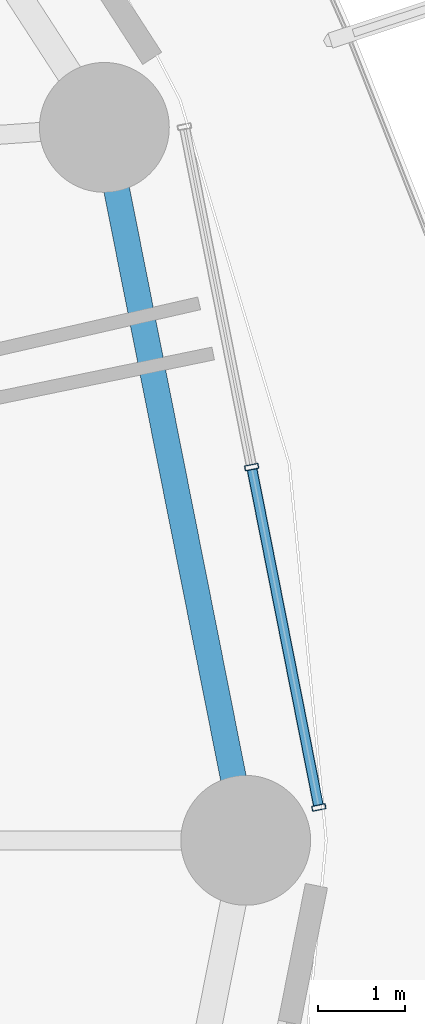
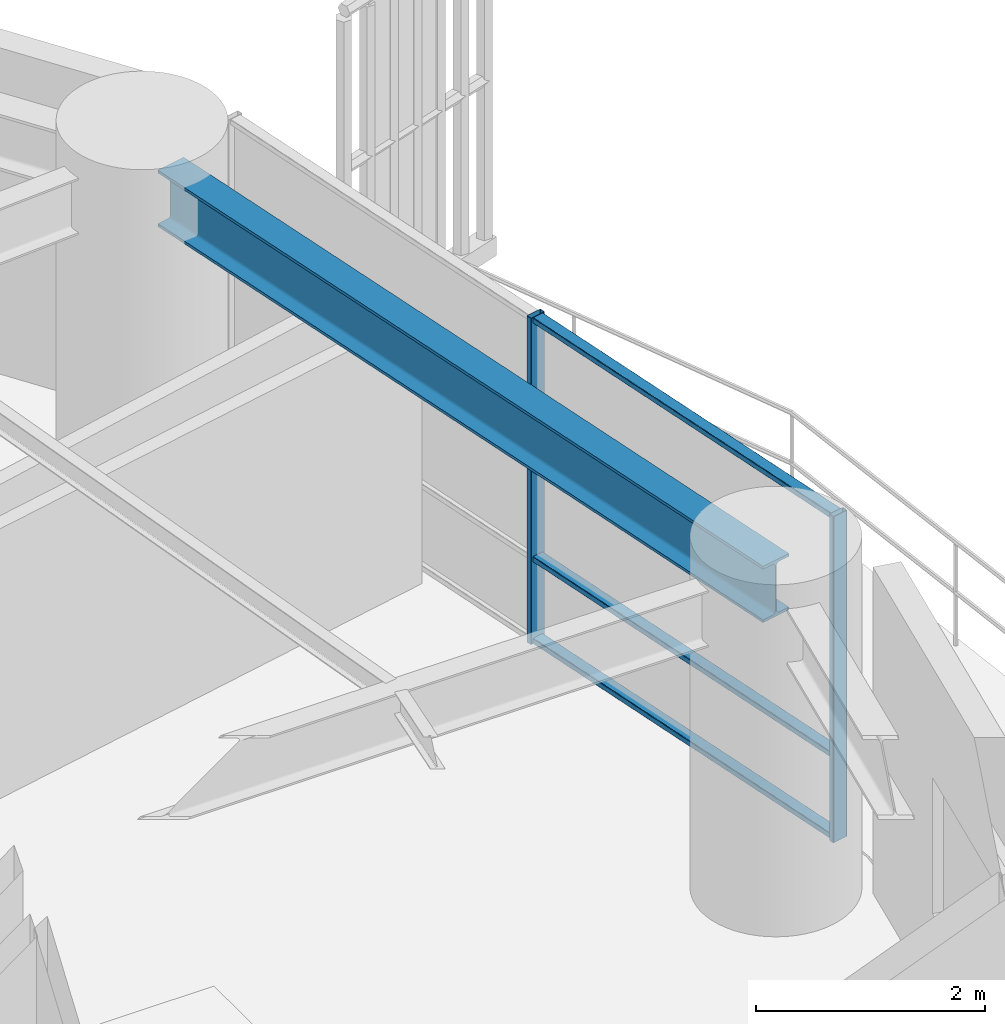
# One storey, part 14 of 33: 5 members, 1 beam, 1 element without a shape of its own.
"""IFC4 building model written with IfcOpenShell, lengths in metres."""

import ifcopenshell
import ifcopenshell.guid

model = None  # the IFC model being written
_history = None  # IfcOwnerHistory: only IFC2X3 demands one
_inside = {}  # id of a spatial element -> (the spatial element, [elements in it])
_under = {}  # id of a project, library or spatial element -> (it, [spatial elements below it])
_declared = {}  # id of a project -> (the project, [libraries it declares])
_typed = {}  # id of a type object -> (the type object, [elements of that type])
_made_of = {}  # id of a material, layer set ... -> (it, [elements and type objects made of it])


def new_model(schema):
    """Start an empty IFC model of exactly this schema.

    Asked for "IFC4X3", IfcOpenShell would pick the latest addendum, in which some entities
    have other attributes; the version numbers below select the first issue.
    IFC2X3 requires an IfcOwnerHistory on every rooted entity: one is made here for all.
    """
    global model, _history
    if schema == "IFC4X3":
        model = ifcopenshell.file(schema_version=(4, 3, 0, 0))
    else:
        model = ifcopenshell.file(schema=schema)
    _inside.clear()
    _under.clear()
    _declared.clear()
    _typed.clear()
    _made_of.clear()
    _history = None
    if model.schema == "IFC2X3":
        org = make("IfcOrganization", Name="unknown")
        user = make(
            "IfcPersonAndOrganization",
            ThePerson=make("IfcPerson", FamilyName="unknown"),
            TheOrganization=org,
        )
        app = make(
            "IfcApplication",
            ApplicationDeveloper=org,
            Version="unknown",
            ApplicationFullName="unknown",
            ApplicationIdentifier="unknown",
        )
        _history = make(
            "IfcOwnerHistory",
            OwningUser=user,
            OwningApplication=app,
            ChangeAction="ADDED",
            CreationDate=0,
        )
    return model


def make(cls, **values):
    """One entity of the class cls with the attributes given. An attribute that is None is left unset."""
    return model.create_entity(
        cls, **{name: value for name, value in values.items() if value is not None}
    )


def rooted(cls, **values):
    """An entity with a GlobalId (a new one), such as an element, a storey or a relation."""
    return make(cls, GlobalId=ifcopenshell.guid.new(), OwnerHistory=_history, **values)


def si_unit(unit_type, name, prefix=None):
    """IfcSIUnit, for example si_unit("LENGTHUNIT", "METRE", prefix="MILLI")."""
    return make("IfcSIUnit", UnitType=unit_type, Prefix=prefix, Name=name)


def assignment(units):
    """IfcUnitAssignment: the units of a project."""
    return None if units is None else make("IfcUnitAssignment", Units=units)


def point(xyz):
    """IfcCartesianPoint."""
    return None if xyz is None else make("IfcCartesianPoint", Coordinates=xyz)


def direction(xyz):
    """IfcDirection."""
    return None if xyz is None else make("IfcDirection", DirectionRatios=xyz)


def frame(location, z_axis=None, x_axis=None):
    """IfcAxis2Placement3D, a coordinate frame: its origin and axes. An axis left out is left unset."""
    return make(
        "IfcAxis2Placement3D",
        Location=point(location),
        Axis=direction(z_axis),
        RefDirection=direction(x_axis),
    )


def frame_2d(location, x_axis=None):
    """IfcAxis2Placement2D, a coordinate frame in the plane: its origin and x axis."""
    return make(
        "IfcAxis2Placement2D", Location=point(location), RefDirection=direction(x_axis)
    )


def origin():
    """The frame at (0, 0, 0) with its axes left unset."""
    return frame((0.0, 0.0, 0.0))


def origin_2d():
    """The frame at (0, 0) in the plane with its x axis left unset."""
    return frame_2d((0.0, 0.0))


def place(relative_to, where):
    """IfcLocalPlacement: puts the frame where relative to a parent placement (None: the world)."""
    return make(
        "IfcLocalPlacement", PlacementRelTo=relative_to, RelativePlacement=where
    )


def context(
    kind, dimensions, precision=None, world=None, true_north=None, identifier=None
):
    """IfcGeometricRepresentationContext, for example the 3D "Model" context."""
    return make(
        "IfcGeometricRepresentationContext",
        ContextIdentifier=identifier,
        ContextType=kind,
        CoordinateSpaceDimension=dimensions,
        Precision=precision,
        WorldCoordinateSystem=world,
        TrueNorth=true_north,
    )


def subcontext(parent, identifier, kind, view, scale=None):
    """IfcGeometricRepresentationSubContext, for example "Body" below "Model"."""
    return make(
        "IfcGeometricRepresentationSubContext",
        ContextIdentifier=identifier,
        ContextType=kind,
        ParentContext=parent,
        TargetScale=scale,
        TargetView=view,
    )


def project(units=None, contexts=None):
    """IfcProject with its units and contexts."""
    return rooted(
        "IfcProject",
        Name="project",
        RepresentationContexts=contexts,
        UnitsInContext=assignment(units),
    )


def spatial(cls, under=None, at=None, **own):
    """A site, building, storey or space (cls), placed at a placement, below another one or the project."""
    s = rooted(cls, ObjectPlacement=at, **own)
    if under is not None:
        _under.setdefault(under.id(), (under, []))[1].append(s)
    return s


def profile(cls, at=None, kind="AREA", **sizes):
    """A parametric profile (cls). Its sizes go by their IFC names, for example OverallWidth=200.0."""
    return make(cls, ProfileType=kind, Position=at, **sizes)


def hollow_rectangle(**sizes):
    """IfcRectangleHollowProfileDef."""
    return profile("IfcRectangleHollowProfileDef", **sizes)


def i_section(**sizes):
    """IfcIShapeProfileDef."""
    return profile("IfcIShapeProfileDef", **sizes)


def extrude(swept, where, along, depth):
    """IfcExtrudedAreaSolid: the profile swept, set in the frame where, extruded along a direction by depth."""
    return make(
        "IfcExtrudedAreaSolid",
        SweptArea=swept,
        Position=where,
        ExtrudedDirection=direction(along),
        Depth=depth,
    )


def shape(context_of_items, identifier, shape_type, items):
    """IfcShapeRepresentation: the items that make up one representation, for example the "Body"."""
    return make(
        "IfcShapeRepresentation",
        ContextOfItems=context_of_items,
        RepresentationIdentifier=identifier,
        RepresentationType=shape_type,
        Items=items,
    )


def material(Name=None, Category=None):
    """IfcMaterial."""
    return make("IfcMaterial", Name=Name, Category=Category)


def layer(
    of_material, thickness, ventilated=None, Name=None, Category=None, Priority=None
):
    """IfcMaterialLayer: one layer of a wall or slab, of a material (None: an air gap)."""
    return make(
        "IfcMaterialLayer",
        Material=of_material,
        LayerThickness=thickness,
        IsVentilated=ventilated,
        Name=Name,
        Category=Category,
        Priority=Priority,
    )


def layer_set(layers, Name=None):
    """IfcMaterialLayerSet."""
    return make("IfcMaterialLayerSet", MaterialLayers=layers, LayerSetName=Name)


def material_profile(
    of_material, cross_section, Name=None, Category=None, Priority=None
):
    """IfcMaterialProfile: a cross section and its material."""
    return make(
        "IfcMaterialProfile",
        Name=Name,
        Material=of_material,
        Profile=cross_section,
        Priority=Priority,
        Category=Category,
    )


def profile_set(profiles, Name=None, composite=None):
    """IfcMaterialProfileSet."""
    return make(
        "IfcMaterialProfileSet",
        Name=Name,
        MaterialProfiles=profiles,
        CompositeProfile=composite,
    )


def made_of(thing, what):
    """Note that an element or type object is made of a material, layer set ...; save() writes the relation."""
    if what is not None:
        _made_of.setdefault(what.id(), (what, []))[1].append(thing)
    return thing


def type_object(cls, material=None, **own):
    """A type object (cls), such as IfcWallType, which elements share."""
    return made_of(rooted(cls, **own), material)


def element(
    cls,
    number,
    at=None,
    inside=None,
    cuts=None,
    type_object=None,
    material=None,
    context=None,
    identifier="Body",
    shape_type=None,
    held_by="IfcProductDefinitionShape",
    body=None,
    shapes=None,
    **own,
):
    """One element of the class cls, such as IfcWall. Its Tag is "e" and its number.

    at: its placement. inside: the storey or other place that contains it. cuts: it is an
    opening in that element (IfcRelVoidsElement). A single representation is given by context,
    identifier, shape_type and body (its items); several are given by shapes. held_by: the class
    of the entity that holds the representations. save() writes the other relations.
    """
    e = rooted(cls, Tag="e%d" % number, ObjectPlacement=at, **own)
    if body is not None:
        shapes = [shape(context, identifier, shape_type, body)]
    if shapes is not None:
        e.Representation = make(held_by, Representations=shapes)
    if inside is not None:
        _inside.setdefault(inside.id(), (inside, []))[1].append(e)
    if cuts is not None:
        rooted(
            "IfcRelVoidsElement", RelatingBuildingElement=cuts, RelatedOpeningElement=e
        )
    if type_object is not None:
        _typed.setdefault(type_object.id(), (type_object, []))[1].append(e)
    return made_of(e, material)


def aggregate(whole, parts):
    """IfcRelAggregates: a whole, such as a stair, and the parts it consists of."""
    return rooted("IfcRelAggregates", RelatingObject=whole, RelatedObjects=parts)


def save(model, path):
    """Write the relations noted so far, then the file.

    IfcRelAggregates (storeys below a building ...), IfcRelContainedInSpatialStructure (elements
    in a storey), IfcRelDefinesByType, IfcRelAssociatesMaterial and IfcRelDeclares: one each for
    every whole, place, type object, material and project.
    """
    for whole, parts in _under.values():
        aggregate(whole, parts)
    for where, things in _inside.values():
        rooted(
            "IfcRelContainedInSpatialStructure",
            RelatedElements=things,
            RelatingStructure=where,
        )
    for kind, things in _typed.values():
        rooted("IfcRelDefinesByType", RelatedObjects=things, RelatingType=kind)
    for what, things in _made_of.values():
        rooted("IfcRelAssociatesMaterial", RelatedObjects=things, RelatingMaterial=what)
    for by, libraries in _declared.values():
        rooted("IfcRelDeclares", RelatingContext=by, RelatedDefinitions=libraries)
    model.write(path)


model = new_model("IFC4")

# Units and contexts
model_context = context("Model", 3, precision=1e-05, world=origin(), true_north=direction((0.0, 1.0)))
body_context = subcontext(model_context, "Body", "Model", "MODEL_VIEW")
ifc_project = project(units=[si_unit("LENGTHUNIT", "METRE"), si_unit("AREAUNIT", "SQUARE_METRE"), si_unit("VOLUMEUNIT", "CUBIC_METRE"), si_unit("PLANEANGLEUNIT", "RADIAN"), si_unit("MASSUNIT", "GRAM", prefix="KILO")], contexts=[model_context])

# Site, building, storey
site_placement = place(None, origin())
site = spatial("IfcSite", under=ifc_project, at=site_placement, CompositionType="ELEMENT")
building_placement = place(site_placement, origin())
building = spatial("IfcBuilding", under=site, at=building_placement, Name="Kelanora Arch Commons", CompositionType="ELEMENT")
storey_placement = place(building_placement, frame((0.0, 0.0, 41.25)))
storey = spatial("IfcBuildingStorey", under=building, at=storey_placement, Name="L10", CompositionType="ELEMENT", Elevation=41.25)

# Beam
ifc_material_1 = material(Name="Steel S355", Category="steel")
ifc_material_profile_1 = material_profile(ifc_material_1, i_section(OverallWidth=0.300048828125, OverallDepth=0.60009765625, WebThickness=0.015380859375, FlangeThickness=0.030029296875, FilletRadius=0.027099609375, at=origin_2d()), Name="HEB600")
ifc_profile_set_1 = profile_set([ifc_material_profile_1], Name="Steel S355")
beam_type = type_object("IfcBeamType", Name="BM-SPN-Z1", PredefinedType="SPANDREL", material=ifc_profile_set_1)
beam_placement = place(storey_placement, frame((101.080078125, 58.0, 3.18994140625), z_axis=(-0.194522790633, 0.980897998736, 0.0), x_axis=(-0.980897998736, -0.194522790633, 0.0)))
element("IfcBeam", 1, at=beam_placement, inside=storey, type_object=beam_type, Name="Perimeter Spandrel Beam BS-00 L10", PredefinedType="SPANDREL", context=body_context, shape_type="SweptSolid", body=[
    extrude(i_section(OverallWidth=0.300048828125, OverallDepth=0.60009765625, WebThickness=0.015380859375, FlangeThickness=0.030029296875, FilletRadius=0.027099609375, at=origin_2d()), origin(), (0.0, 0.0, 1.0), 8.01611328125),
])

# Curtain wall, members
ifc_material_2 = material(Name="Terracotta ceramic-fritted low-E glass and aluminium", Category="masonry")
ifc_layer = layer(ifc_material_2, 0.159912109375)
ifc_layer_set = layer_set([ifc_layer], Name="Terracotta ceramic-fritted low-E glass and aluminium")
curtain_wall_type = type_object("IfcCurtainWallType", Name="CW-SYS-01", PredefinedType="NOTDEFINED", material=ifc_layer_set)
curtain_wall_placement = place(storey_placement, origin())
curtain_wall = element("IfcCurtainWall", 2, at=curtain_wall_placement, inside=storey, type_object=curtain_wall_type, Name="Unitised Curtain Wall L10-B00", PredefinedType="NOTDEFINED")
ifc_material_3 = material(Name="Powder-coated aluminium terracotta", Category="masonry")
ifc_material_profile_2 = material_profile(ifc_material_3, hollow_rectangle(XDim=0.159912109375, YDim=0.06005859375, WallThickness=0.0048828125, InnerFilletRadius=0.0048828125, OuterFilletRadius=0.010009765625, at=origin_2d()), Name="CWM160x60")
ifc_profile_set_2 = profile_set([ifc_material_profile_2], Name="Powder-coated aluminium terracotta")
member_type_1 = type_object("IfcMemberType", Name="CWM-STD", PredefinedType="MULLION", material=ifc_profile_set_2)
member_1_placement = place(storey_placement, frame((101.925048828125, 58.379150390625, 0.0), z_axis=(0.0, 0.0, 1.0), x_axis=(-0.981052110579, -0.193744048498, 0.0)))
member_1 = element("IfcMember", 3, at=member_1_placement, type_object=member_type_1, Name="CW-01 mullion 1", PredefinedType="MULLION", context=body_context, shape_type="SweptSolid", body=[
    extrude(hollow_rectangle(XDim=0.159912109375, YDim=0.06005859375, WallThickness=0.0048828125, InnerFilletRadius=0.0048828125, OuterFilletRadius=0.010009765625, at=origin_2d()), origin(), (0.0, 0.0, 1.0), 3.47509765625),
])
member_2_placement = place(storey_placement, frame((101.1484375, 62.3115234375, 0.0), z_axis=(0.0, 0.0, 1.0), x_axis=(-0.981052110579, -0.193744048498, 0.0)))
member_2 = element("IfcMember", 4, at=member_2_placement, type_object=member_type_1, Name="CW-01 mullion 2", PredefinedType="MULLION", context=body_context, shape_type="SweptSolid", body=[
    extrude(hollow_rectangle(XDim=0.159912109375, YDim=0.06005859375, WallThickness=0.0048828125, InnerFilletRadius=0.0048828125, OuterFilletRadius=0.010009765625, at=origin_2d()), origin(), (0.0, 0.0, 1.0), 3.47509765625),
])
ifc_material_profile_3 = material_profile(ifc_material_3, hollow_rectangle(XDim=0.1201171875, YDim=0.06005859375, WallThickness=0.0048828125, InnerFilletRadius=0.0048828125, OuterFilletRadius=0.010009765625, at=origin_2d()), Name="CWT120x60")
ifc_profile_set_3 = profile_set([ifc_material_profile_3], Name="Powder-coated aluminium terracotta")
member_type_2 = type_object("IfcMemberType", Name="CWT-STD", PredefinedType="USERDEFINED", material=ifc_profile_set_3)
member_3_placement = place(storey_placement, frame((101.919189453125, 58.408447265625, 0.030029296875), z_axis=(-0.193725436624, 0.98105578598, 0.0), x_axis=(-0.98105578598, -0.193725436624, 0.0)))
member_3 = element("IfcMember", 5, at=member_3_placement, type_object=member_type_2, Name="CW-01 transom 1.1", ObjectType="TRANSOM", PredefinedType="USERDEFINED", context=body_context, shape_type="SweptSolid", body=[
    extrude(hollow_rectangle(XDim=0.1201171875, YDim=0.06005859375, WallThickness=0.0048828125, InnerFilletRadius=0.0048828125, OuterFilletRadius=0.010009765625, at=origin_2d()), origin(), (0.0, 0.0, 1.0), 3.9482421875),
])
member_4_placement = place(storey_placement, frame((101.919189453125, 58.408447265625, 0.89990234375), z_axis=(-0.193725436624, 0.98105578598, 0.0), x_axis=(-0.98105578598, -0.193725436624, 0.0)))
member_4 = element("IfcMember", 6, at=member_4_placement, type_object=member_type_2, Name="CW-01 transom 1.2", ObjectType="TRANSOM", PredefinedType="USERDEFINED", context=body_context, shape_type="SweptSolid", body=[
    extrude(hollow_rectangle(XDim=0.1201171875, YDim=0.06005859375, WallThickness=0.0048828125, InnerFilletRadius=0.0048828125, OuterFilletRadius=0.010009765625, at=origin_2d()), origin(), (0.0, 0.0, 1.0), 3.9482421875),
])
member_5_placement = place(storey_placement, frame((101.919189453125, 58.408447265625, 3.445068359375), z_axis=(-0.193725436624, 0.98105578598, 0.0), x_axis=(-0.98105578598, -0.193725436624, 0.0)))
member_5 = element("IfcMember", 7, at=member_5_placement, type_object=member_type_2, Name="CW-01 transom 1.3", ObjectType="TRANSOM", PredefinedType="USERDEFINED", context=body_context, shape_type="SweptSolid", body=[
    extrude(hollow_rectangle(XDim=0.1201171875, YDim=0.06005859375, WallThickness=0.0048828125, InnerFilletRadius=0.0048828125, OuterFilletRadius=0.010009765625, at=origin_2d()), origin(), (0.0, 0.0, 1.0), 3.9482421875),
])
aggregate(curtain_wall, [member_1, member_2, member_3, member_4, member_5])

save(model, "model.ifc")
